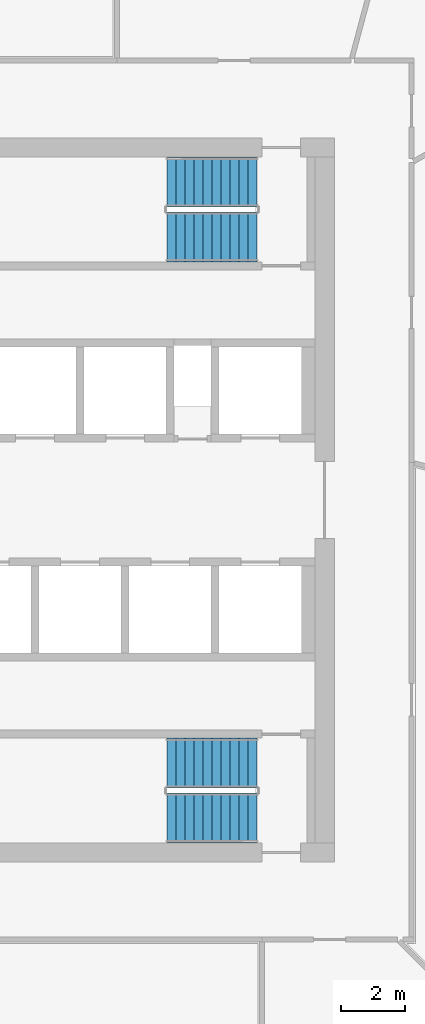
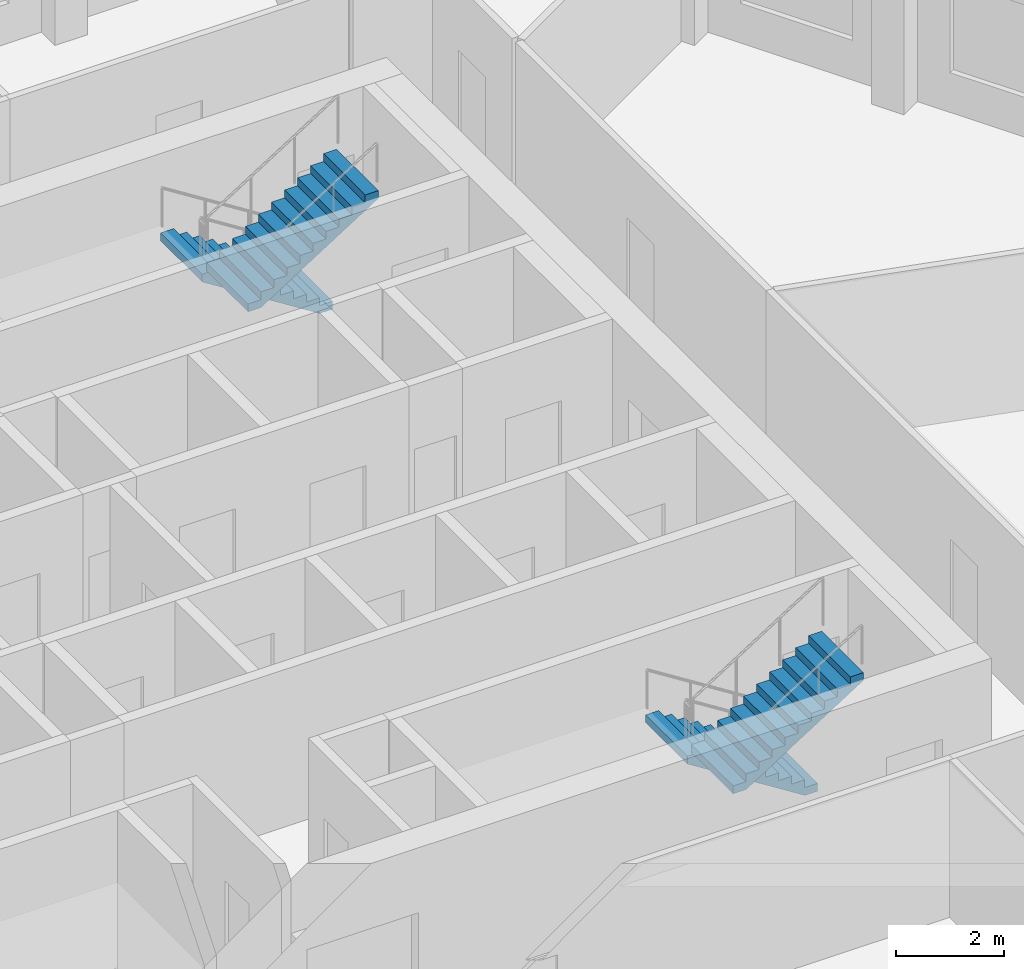
# One storey, part 7 of 10: 4 stair flights, 2 elements without a shape of their own.
"""IFC4 building model written with IfcOpenShell, lengths in metres."""

from ifc_helpers import new_model, si_unit, direction, frame, origin, place, context, subcontext, project, spatial, polyline, outline, extrude, material, type_object, element, aggregate, save


model = new_model("IFC4")

# Units and contexts
model_context = context("Model", 3, precision=1e-05, world=origin(), true_north=direction((0.0, 1.0)))
body_context = subcontext(model_context, "Body", "Model", "MODEL_VIEW")
ifc_project = project(units=[si_unit("LENGTHUNIT", "METRE"), si_unit("AREAUNIT", "SQUARE_METRE"), si_unit("VOLUMEUNIT", "CUBIC_METRE"), si_unit("PLANEANGLEUNIT", "RADIAN"), si_unit("MASSUNIT", "GRAM", prefix="KILO")], contexts=[model_context])

# Site, building, storey
site_placement = place(None, origin())
site = spatial("IfcSite", under=ifc_project, at=site_placement, CompositionType="ELEMENT")
building_placement = place(site_placement, origin())
building = spatial("IfcBuilding", under=site, at=building_placement, Name="Dhurran Vertical Campus", CompositionType="ELEMENT")
storey_placement = place(building_placement, frame((0.0, 0.0, 239.10009765625)))
storey = spatial("IfcBuildingStorey", under=building, at=storey_placement, Name="L59", CompositionType="ELEMENT", Elevation=239.10009765625)

# Stair, stair flights
ifc_material_1 = material(Name="Concrete C40/50", Category="concrete")
stair_type = type_object("IfcStairType", Name="co-ST-CORE", PredefinedType="HALF_TURN_STAIR", material=ifc_material_1)
stair_1_placement = place(storey_placement, origin())
stair_1 = element("IfcStair", 1, at=stair_1_placement, inside=storey, type_object=stair_type, Name="L59 Protected exit stair ST2", PredefinedType="HALF_TURN_STAIR")
ifc_material_2 = material(Name="Concrete C40/50", Category="concrete")
stair_flight_type = type_object("IfcStairFlightType", Name="co-SFL-RC", PredefinedType="STRAIGHT", material=ifc_material_2)
stair_flight_1_placement = place(storey_placement, frame((11.10009765625, 9.875, 0.0), z_axis=(0.0, 0.0, 1.0), x_axis=(-1.0, 0.0, 0.0)))
stair_flight_1 = element("IfcStairFlight", 2, at=stair_flight_1_placement, type_object=stair_flight_type, Name="ST2 flight 1", NumberOfRisers=11, NumberOfTreads=10, PredefinedType="STRAIGHT", RiserHeight=0.177272727, TreadLength=0.28, context=body_context, shape_type="SweptSolid", body=[
    extrude(outline(polyline([(0.0, 0.0), (0.0, 0.17724609375), (0.280029296875, 0.17724609375), (0.280029296875, 0.3544921875), (0.56005859375, 0.3544921875), (0.56005859375, 0.53173828125), (0.840087890625, 0.53173828125), (0.840087890625, 0.708984375), (1.1201171875, 0.708984375), (1.1201171875, 0.886474609375), (1.39990234375, 0.886474609375), (1.39990234375, 1.063720703125), (1.679931640625, 1.063720703125), (1.679931640625, 1.240966796875), (1.9599609375, 1.240966796875), (1.9599609375, 1.418212890625), (2.239990234375, 1.418212890625), (2.239990234375, 1.595458984375), (2.52001953125, 1.595458984375), (2.52001953125, 1.772705078125), (2.800048828125, 1.772705078125), (2.800048828125, 1.949951171875), (2.800048828125, 1.59521484375), (0.2802734375, 0.0), (0.0, 0.0)])), frame((0.0, 0.77490234375, 0.0), z_axis=(0.0, -1.0, 0.0), x_axis=(1.0, 0.0, 0.0)), (0.0, 0.0, 1.0), 1.550048828125),
])
stair_flight_2_placement = place(storey_placement, frame((8.300048828125, 8.175048828125, 1.949951171875), z_axis=(0.0, 0.0, 1.0), x_axis=(1.0, 0.0, 0.0)))
stair_flight_2 = element("IfcStairFlight", 3, at=stair_flight_2_placement, type_object=stair_flight_type, Name="ST2 flight 2", NumberOfRisers=11, NumberOfTreads=10, PredefinedType="STRAIGHT", RiserHeight=0.177272727, TreadLength=0.28, context=body_context, shape_type="SweptSolid", body=[
    extrude(outline(polyline([(0.0, 0.0), (0.0, 0.17724609375), (0.280029296875, 0.17724609375), (0.280029296875, 0.3544921875), (0.56005859375, 0.3544921875), (0.56005859375, 0.53173828125), (0.840087890625, 0.53173828125), (0.840087890625, 0.708984375), (1.1201171875, 0.708984375), (1.1201171875, 0.886474609375), (1.39990234375, 0.886474609375), (1.39990234375, 1.063720703125), (1.679931640625, 1.063720703125), (1.679931640625, 1.240966796875), (1.9599609375, 1.240966796875), (1.9599609375, 1.418212890625), (2.239990234375, 1.418212890625), (2.239990234375, 1.595458984375), (2.52001953125, 1.595458984375), (2.52001953125, 1.772705078125), (2.800048828125, 1.772705078125), (2.800048828125, 1.949951171875), (2.800048828125, 1.59521484375), (0.2802734375, 0.0), (0.0, 0.0)])), frame((0.0, 0.77490234375, 0.0), z_axis=(0.0, -1.0, 0.0), x_axis=(1.0, 0.0, 0.0)), (0.0, 0.0, 1.0), 1.550048828125),
])
aggregate(stair_1, [stair_flight_1, stair_flight_2])

stair_2_placement = place(storey_placement, origin())
stair_2 = element("IfcStair", 4, at=stair_2_placement, inside=storey, type_object=stair_type, Name="L59 Protected exit stair ST4", PredefinedType="HALF_TURN_STAIR")
stair_flight_3_placement = place(storey_placement, frame((11.10009765625, -8.175048828125, 0.0), z_axis=(0.0, 0.0, 1.0), x_axis=(-1.0, 0.0, 0.0)))
stair_flight_3 = element("IfcStairFlight", 5, at=stair_flight_3_placement, type_object=stair_flight_type, Name="ST4 flight 1", NumberOfRisers=11, NumberOfTreads=10, PredefinedType="STRAIGHT", RiserHeight=0.177272727, TreadLength=0.28, context=body_context, shape_type="SweptSolid", body=[
    extrude(outline(polyline([(0.0, 0.0), (0.0, 0.17724609375), (0.280029296875, 0.17724609375), (0.280029296875, 0.3544921875), (0.56005859375, 0.3544921875), (0.56005859375, 0.53173828125), (0.840087890625, 0.53173828125), (0.840087890625, 0.708984375), (1.1201171875, 0.708984375), (1.1201171875, 0.886474609375), (1.39990234375, 0.886474609375), (1.39990234375, 1.063720703125), (1.679931640625, 1.063720703125), (1.679931640625, 1.240966796875), (1.9599609375, 1.240966796875), (1.9599609375, 1.418212890625), (2.239990234375, 1.418212890625), (2.239990234375, 1.595458984375), (2.52001953125, 1.595458984375), (2.52001953125, 1.772705078125), (2.800048828125, 1.772705078125), (2.800048828125, 1.949951171875), (2.800048828125, 1.59521484375), (0.2802734375, 0.0), (0.0, 0.0)])), frame((0.0, 0.77490234375, 0.0), z_axis=(0.0, -1.0, 0.0), x_axis=(1.0, 0.0, 0.0)), (0.0, 0.0, 1.0), 1.550048828125),
])
stair_flight_4_placement = place(storey_placement, frame((8.300048828125, -9.875, 1.949951171875), z_axis=(0.0, 0.0, 1.0), x_axis=(1.0, 0.0, 0.0)))
stair_flight_4 = element("IfcStairFlight", 6, at=stair_flight_4_placement, type_object=stair_flight_type, Name="ST4 flight 2", NumberOfRisers=11, NumberOfTreads=10, PredefinedType="STRAIGHT", RiserHeight=0.177272727, TreadLength=0.28, context=body_context, shape_type="SweptSolid", body=[
    extrude(outline(polyline([(0.0, 0.0), (0.0, 0.17724609375), (0.280029296875, 0.17724609375), (0.280029296875, 0.3544921875), (0.56005859375, 0.3544921875), (0.56005859375, 0.53173828125), (0.840087890625, 0.53173828125), (0.840087890625, 0.708984375), (1.1201171875, 0.708984375), (1.1201171875, 0.886474609375), (1.39990234375, 0.886474609375), (1.39990234375, 1.063720703125), (1.679931640625, 1.063720703125), (1.679931640625, 1.240966796875), (1.9599609375, 1.240966796875), (1.9599609375, 1.418212890625), (2.239990234375, 1.418212890625), (2.239990234375, 1.595458984375), (2.52001953125, 1.595458984375), (2.52001953125, 1.772705078125), (2.800048828125, 1.772705078125), (2.800048828125, 1.949951171875), (2.800048828125, 1.59521484375), (0.2802734375, 0.0), (0.0, 0.0)])), frame((0.0, 0.77490234375, 0.0), z_axis=(0.0, -1.0, 0.0), x_axis=(1.0, 0.0, 0.0)), (0.0, 0.0, 1.0), 1.550048828125),
])
aggregate(stair_2, [stair_flight_3, stair_flight_4])

save(model, "model.ifc")
